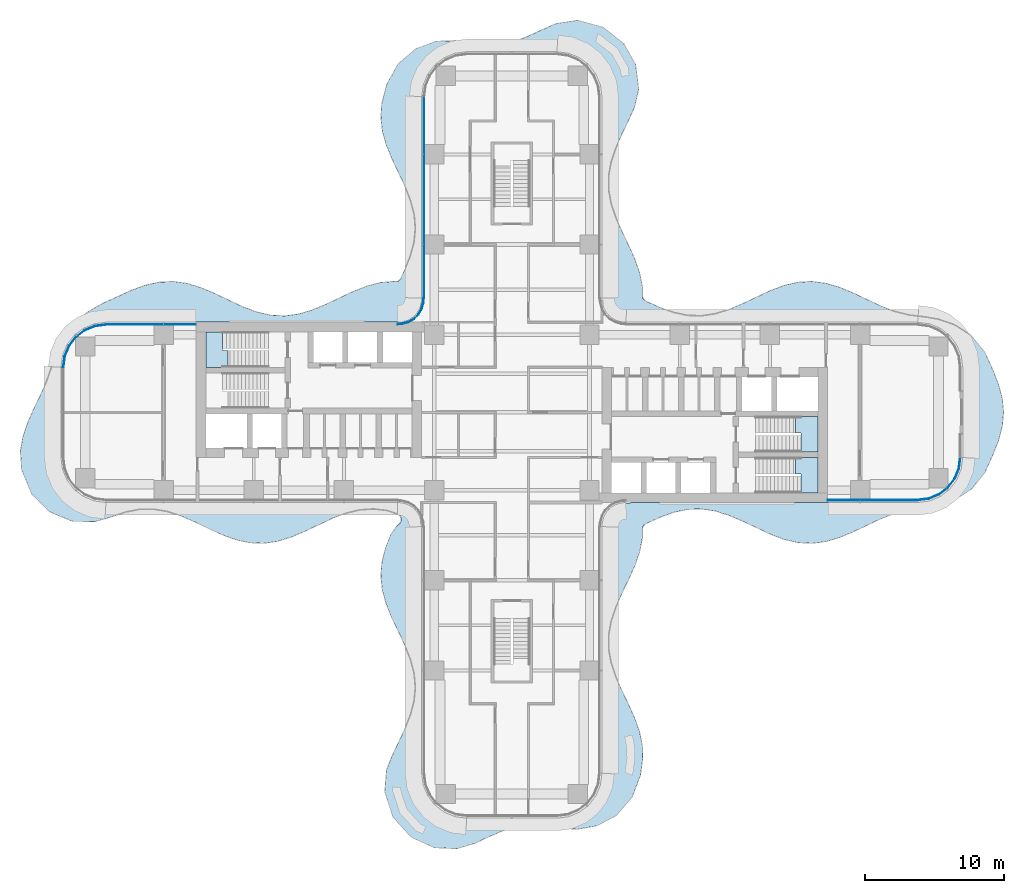
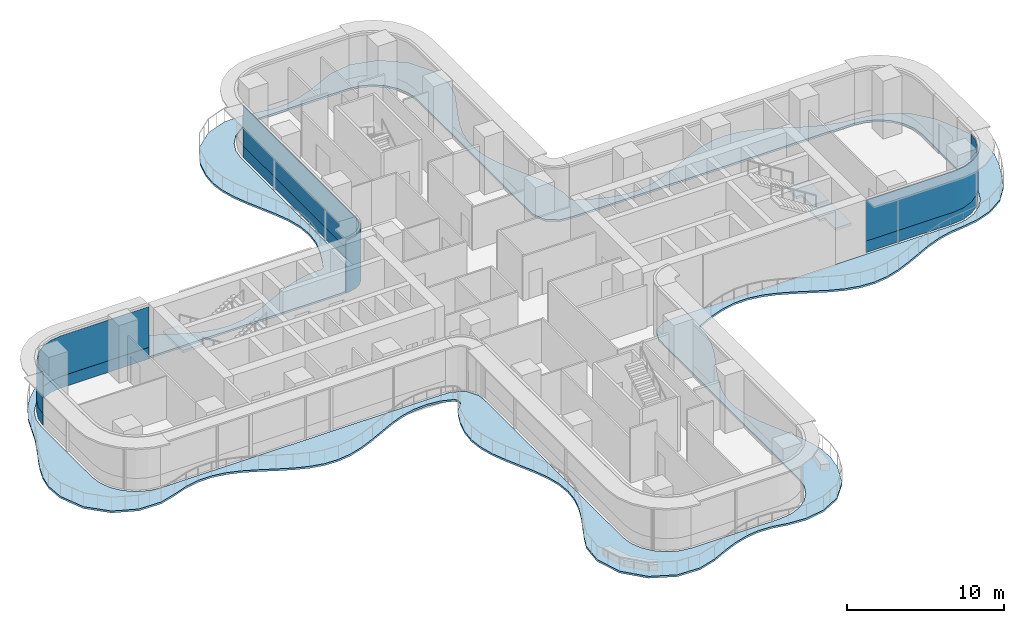
# One storey, part 15 of 22: 7 plates, 4 slabs, 7 elements without a shape of their own.
"""IFC4 building model written with IfcOpenShell, lengths in metres."""

from ifc_helpers import new_model, si_unit, direction, frame, origin, place, context, subcontext, project, spatial, polyline, outline, extrude, source, transform, mapped, material, layer, layer_set, type_object, element, aggregate, save


model = new_model("IFC4")

# Units and contexts
model_context = context("Model", 3, precision=1e-05, world=origin(), true_north=direction((0.0, 1.0)))
body_context = subcontext(model_context, "Body", "Model", "MODEL_VIEW")
ifc_project = project(units=[si_unit("LENGTHUNIT", "METRE"), si_unit("AREAUNIT", "SQUARE_METRE"), si_unit("VOLUMEUNIT", "CUBIC_METRE"), si_unit("PLANEANGLEUNIT", "RADIAN"), si_unit("MASSUNIT", "GRAM", prefix="KILO")], contexts=[model_context])

# Site, building, storey
site_placement = place(None, origin())
site = spatial("IfcSite", under=ifc_project, at=site_placement, CompositionType="ELEMENT")
building_placement = place(site_placement, origin())
building = spatial("IfcBuilding", under=site, at=building_placement, Name="Trellis Farm Tower", CompositionType="ELEMENT")
storey_placement = place(building_placement, frame((0.0, 0.0, 79.0)))
storey = spatial("IfcBuildingStorey", under=building, at=storey_placement, Name="L16", CompositionType="ELEMENT", Elevation=79.0)

# Slab
ifc_material_1 = material(Name="Concrete C40/50", Category="concrete")
ifc_layer_1 = layer(ifc_material_1, 0.14990234375)
ifc_layer_set_1 = layer_set([ifc_layer_1], Name="Balcony slab 150")
slab_type_1 = type_object("IfcSlabType", Name="Balcony slab 150", PredefinedType="FLOOR", material=ifc_layer_set_1)
slab_1_placement = place(storey_placement, frame((0.0, 0.0, -0.14990234375)))
element("IfcSlab", 1, at=slab_1_placement, inside=storey, type_object=slab_type_1, Name="Balcony slab", PredefinedType="FLOOR", context=body_context, shape_type="SweptSolid", body=[
    extrude(outline(polyline([(-18.9140625, -9.396484375), (-19.862060546875, -9.18896484375), (-19.88134765625, -9.183349609375), (-20.881103515625, -8.819091796875), (-20.89208984375, -8.814697265625), (-21.87451171875, -8.365234375), (-21.877197265625, -8.364013671875), (-22.87939453125, -7.88134765625), (-22.882080078125, -7.880126953125), (-23.884521484375, -7.446044921875), (-23.891357421875, -7.443603515625), (-24.83837890625, -7.137451171875), (-24.84912109375, -7.135009765625), (-25.827392578125, -6.970703125), (-25.8408203125, -6.9697265625), (-26.82470703125, -6.983642578125), (-26.837890625, -6.985107421875), (-27.830322265625, -7.1787109375), (-27.8408203125, -7.181640625), (-28.85791015625, -7.535400390625), (-28.865478515625, -7.5380859375), (-30.02978515625, -7.87451171875), (-30.07470703125, -7.880126953125), (-31.650634765625, -7.844970703125), (-31.6787109375, -7.841796875), (-31.713134765625, -7.83447265625), (-31.7392578125, -7.826171875), (-33.275634765625, -7.188232421875), (-33.302001953125, -7.17431640625), (-33.333740234375, -7.152587890625), (-33.356689453125, -7.1337890625), (-34.595703125, -5.8818359375), (-34.614013671875, -5.859130859375), (-34.634765625, -5.827880859375), (-34.648681640625, -5.80126953125), (-35.329345703125, -4.120361328125), (-35.33984375, -4.07373046875), (-35.424072265625, -2.791259765625), (-35.422119140625, -2.7548828125), (-35.24267578125, -1.75341796875), (-35.237060546875, -1.731689453125), (-34.90673828125, -0.756591796875), (-34.90185546875, -0.743896484375), (-34.46826171875, 0.23486328125), (-34.46630859375, 0.2392578125), (-33.9873046875, 1.231689453125), (-33.986328125, 1.2333984375), (-33.543701171875, 2.215087890625), (-33.541259765625, 2.221435546875), (-32.797607421875, 4.363037109375), (-32.78857421875, 4.3837890625), (-32.26416015625, 5.37548828125), (-32.2529296875, 5.393310546875), (-31.60888671875, 6.2822265625), (-31.591064453125, 6.302490234375), (-30.691650390625, 7.16455078125), (-30.6630859375, 7.18603515625), (-29.49951171875, 7.861083984375), (-29.486083984375, 7.8681640625), (-27.391845703125, 8.814697265625), (-27.381591796875, 8.819091796875), (-26.404052734375, 9.176513671875), (-26.384521484375, 9.182373046875), (-25.384033203125, 9.400146484375), (-25.357666015625, 9.403564453125), (-24.386962890625, 9.439453125), (-24.360107421875, 9.43798828125), (-23.417236328125, 9.301513671875), (-23.394775390625, 9.296630859375), (-22.394287109375, 8.98974609375), (-22.379638671875, 8.984375), (-21.397216796875, 8.56591796875), (-21.39208984375, 8.5634765625), (-19.418212890625, 7.632080078125), (-19.412841796875, 7.6298828125), (-18.432861328125, 7.25830078125), (-18.42333984375, 7.255615234375), (-17.38623046875, 7.012451171875), (-17.373291015625, 7.010498046875), (-16.3876953125, 6.95751953125), (-16.3740234375, 6.9580078125), (-15.39501953125, 7.085205078125), (-15.38330078125, 7.087646484375), (-14.405029296875, 7.375732421875), (-14.3974609375, 7.37841796875), (-13.415283203125, 7.787353515625), (-13.412109375, 7.788818359375), (-11.437744140625, 8.72314453125), (-11.427978515625, 8.727294921875), (-10.428955078125, 9.1162109375), (-10.4111328125, 9.121826171875), (-9.43115234375, 9.3681640625), (-9.406982421875, 9.372314453125), (-8.535888671875, 9.443603515625), (-8.494873046875, 9.44140625), (-8.419921875, 9.427001953125), (-8.403564453125, 9.425537109375), (-8.275634765625, 9.42919921875), (-8.244140625, 9.437255859375), (-8.137451171875, 9.4912109375), (-8.112548828125, 9.51171875), (-8.03369140625, 9.61279296875), (-8.025146484375, 9.626708984375), (-7.72509765625, 10.260986328125), (-7.723388671875, 10.264892578125), (-7.32861328125, 11.246337890625), (-7.32568359375, 11.254638671875), (-7.05859375, 12.232666015625), (-7.056396484375, 12.24462890625), (-6.9541015625, 13.224365234375), (-6.953857421875, 13.238037109375), (-7.033203125, 14.22509765625), (-7.035400390625, 14.237548828125), (-7.28857421875, 15.232666015625), (-7.291259765625, 15.241455078125), (-7.682861328125, 16.241943359375), (-7.684814453125, 16.24658203125), (-8.62841796875, 18.2412109375), (-8.631591796875, 18.248046875), (-9.042724609375, 19.24755859375), (-9.048095703125, 19.26318359375), (-9.322265625, 20.218017578125), (-9.326904296875, 20.2412109375), (-9.444580078125, 21.2099609375), (-9.4453125, 21.23779296875), (-9.37890625, 22.23828125), (-9.374755859375, 22.2646484375), (-9.0478515625, 23.57568359375), (-9.033447265625, 23.612060546875), (-8.22314453125, 25.076171875), (-8.2080078125, 25.098388671875), (-8.185791015625, 25.125732421875), (-8.166748046875, 25.14501953125), (-6.929443359375, 26.197021484375), (-6.907470703125, 26.21240234375), (-6.877197265625, 26.22998046875), (-6.852783203125, 26.241455078125), (-5.465087890625, 26.741943359375), (-5.419677734375, 26.75048828125), (-4.041748046875, 26.80224609375), (-4.009521484375, 26.800048828125), (-2.880615234375, 26.595458984375), (-2.87744140625, 26.594970703125), (-1.9130859375, 26.461181640625), (-1.8994140625, 26.460693359375), (-0.85400390625, 26.5087890625), (-0.8408203125, 26.510498046875), (0.136962890625, 26.733642578125), (0.146240234375, 26.736328125), (1.101806640625, 27.089599609375), (1.106689453125, 27.091552734375), (3.141357421875, 28.013671875), (3.180908203125, 28.025390625), (4.696533203125, 28.255126953125), (4.727783203125, 28.256591796875), (4.76708984375, 28.25439453125), (4.79736328125, 28.249267578125), (6.506103515625, 27.787841796875), (6.5341796875, 27.777099609375), (6.568603515625, 27.759765625), (6.593994140625, 27.743896484375), (8.027099609375, 26.62353515625), (8.04833984375, 26.603271484375), (8.072998046875, 26.574462890625), (8.090087890625, 26.55029296875), (8.90478515625, 25.110595703125), (8.91650390625, 25.083984375), (8.928466796875, 25.048583984375), (8.934814453125, 25.020263671875), (9.1484375, 23.35693359375), (9.1494140625, 23.330322265625), (9.147705078125, 23.2958984375), (9.14404296875, 23.269287109375), (8.845947265625, 21.995849609375), (8.836669921875, 21.968017578125), (8.39794921875, 21.0), (8.396484375, 20.996826171875), (7.9150390625, 19.998779296875), (7.9140625, 19.99658203125), (7.48583984375, 19.0244140625), (7.4833984375, 19.017822265625), (7.15576171875, 18.038818359375), (7.153076171875, 18.0283203125), (6.976806640625, 17.050048828125), (6.9755859375, 17.03662109375), (6.9765625, 16.053466796875), (6.977783203125, 16.0400390625), (7.1591796875, 15.048095703125), (7.162109375, 15.03759765625), (7.500244140625, 14.0390625), (7.502685546875, 14.03271484375), (7.9482421875, 13.02978515625), (7.94921875, 13.02783203125), (8.43017578125, 12.031005859375), (8.431884765625, 12.027099609375), (8.873291015625, 11.042724609375), (8.878173828125, 11.03076171875), (9.2177734375, 10.054443359375), (9.223388671875, 10.0341796875), (9.413818359375, 9.0654296875), (9.41650390625, 9.037841796875), (9.422607421875, 8.3046875), (9.4296875, 8.273681640625), (9.48291015625, 8.161865234375), (9.50341796875, 8.1357421875), (9.60546875, 8.05419921875), (9.62109375, 8.04443359375), (10.654541015625, 7.572265625), (10.660400390625, 7.56982421875), (11.685791015625, 7.201904296875), (11.696044921875, 7.19921875), (12.68896484375, 6.993408203125), (12.7021484375, 6.99169921875), (13.6865234375, 6.964599609375), (13.7001953125, 6.965576171875), (14.6787109375, 7.117431640625), (14.689697265625, 7.1201171875), (15.635009765625, 7.416015625), (15.64208984375, 7.418701171875), (16.658203125, 7.852783203125), (16.66064453125, 7.85400390625), (18.635009765625, 8.7841796875), (18.646728515625, 8.789306640625), (19.645751953125, 9.16162109375), (19.66455078125, 9.167236328125), (20.613525390625, 9.38623046875), (20.638916015625, 9.389892578125), (21.607666015625, 9.444091796875), (21.635498046875, 9.443115234375), (22.63623046875, 9.311767578125), (22.65966796875, 9.306884765625), (23.6328125, 9.01611328125), (23.64794921875, 9.010498046875), (24.6298828125, 8.598876953125), (24.635986328125, 8.59619140625), (26.60986328125, 7.662841796875), (26.61474609375, 7.66064453125), (27.59521484375, 7.281005859375), (27.604248046875, 7.2783203125), (28.634521484375, 7.022705078125), (28.643798828125, 7.02099609375), (29.67041015625, 6.8994140625), (29.677734375, 6.8984375), (30.75341796875, 6.718017578125), (30.777587890625, 6.711669921875), (31.9091796875, 6.318359375), (31.941162109375, 6.302978515625), (33.0712890625, 5.577392578125), (33.106689453125, 5.5458984375), (34.08740234375, 4.342041015625), (34.107666015625, 4.309326171875), (34.692626953125, 3.018798828125), (34.69580078125, 3.01123046875), (35.08642578125, 2.010986328125), (35.091552734375, 1.9951171875), (35.350341796875, 1.023193359375), (35.354736328125, 0.998779296875), (35.447265625, 0.0302734375), (35.447265625, 0.002197265625), (35.354736328125, -0.99853515625), (35.350341796875, -1.023193359375), (35.091552734375, -1.9951171875), (35.08642578125, -2.010986328125), (34.69580078125, -3.01123046875), (34.692626953125, -3.018798828125), (34.107666015625, -4.3095703125), (34.087646484375, -4.341796875), (33.14697265625, -5.509521484375), (33.112060546875, -5.541015625), (31.94140625, -6.302490234375), (31.908935546875, -6.318603515625), (30.777587890625, -6.711669921875), (30.75341796875, -6.718017578125), (29.677734375, -6.8984375), (29.67041015625, -6.8994140625), (28.6435546875, -7.02099609375), (28.634521484375, -7.022705078125), (27.64599609375, -7.264892578125), (27.636962890625, -7.267822265625), (26.61474609375, -7.66064453125), (26.609619140625, -7.662841796875), (24.635986328125, -8.59619140625), (24.6298828125, -8.598876953125), (23.64794921875, -9.010498046875), (23.6328125, -9.01611328125), (22.659423828125, -9.306884765625), (22.636474609375, -9.311767578125), (21.667724609375, -9.441650390625), (21.639892578125, -9.44287109375), (20.63916015625, -9.389892578125), (20.61328125, -9.385986328125), (19.642578125, -9.16064453125), (19.623779296875, -9.155029296875), (18.646484375, -8.7890625), (18.63525390625, -8.784423828125), (16.66064453125, -7.85400390625), (16.658203125, -7.852783203125), (15.64208984375, -7.418701171875), (15.635009765625, -7.416015625), (14.689697265625, -7.1201171875), (14.6787109375, -7.117431640625), (13.7001953125, -6.965576171875), (13.6865234375, -6.964599609375), (12.7021484375, -6.99169921875), (12.68896484375, -6.993408203125), (11.696044921875, -7.19921875), (11.685791015625, -7.201904296875), (10.660400390625, -7.56982421875), (10.654541015625, -7.572265625), (9.62109375, -8.04443359375), (9.60546875, -8.05419921875), (9.50341796875, -8.1357421875), (9.48291015625, -8.161865234375), (9.4296875, -8.273681640625), (9.422607421875, -8.3046875), (9.41650390625, -9.037841796875), (9.413818359375, -9.0654296875), (9.223388671875, -10.0341796875), (9.2177734375, -10.054443359375), (8.878173828125, -11.03076171875), (8.873291015625, -11.042724609375), (8.431884765625, -12.027099609375), (8.43017578125, -12.031005859375), (7.94921875, -13.02783203125), (7.9482421875, -13.02978515625), (7.502685546875, -14.03271484375), (7.500244140625, -14.0390625), (7.162109375, -15.03759765625), (7.1591796875, -15.048095703125), (6.977783203125, -16.0400390625), (6.9765625, -16.053466796875), (6.9755859375, -17.03662109375), (6.976806640625, -17.050048828125), (7.153076171875, -18.0283203125), (7.15576171875, -18.038818359375), (7.4833984375, -19.017822265625), (7.48583984375, -19.0244140625), (7.9140625, -19.99658203125), (7.9150390625, -19.998779296875), (8.396484375, -20.996826171875), (8.39794921875, -21.0), (8.84423828125, -21.985107421875), (8.848876953125, -21.99658203125), (9.2041015625, -22.99658203125), (9.209716796875, -23.016357421875), (9.405517578125, -23.96337890625), (9.40869140625, -23.9892578125), (9.437255859375, -24.961669921875), (9.43603515625, -24.986328125), (9.28076171875, -26.12255859375), (9.2724609375, -26.15478515625), (8.69189453125, -27.69970703125), (8.680419921875, -27.72412109375), (8.66259765625, -27.75341796875), (8.64697265625, -27.77490234375), (7.545166015625, -29.0400390625), (7.525146484375, -29.05908203125), (7.497314453125, -29.081298828125), (7.473388671875, -29.0966796875), (6.1455078125, -29.787353515625), (6.103271484375, -29.802001953125), (4.74072265625, -30.048828125), (4.702880859375, -30.05078125), (3.4541015625, -29.959228515625), (3.437255859375, -29.95703125), (2.352783203125, -29.752197265625), (2.342041015625, -29.7509765625), (1.350341796875, -29.710693359375), (1.337158203125, -29.711181640625), (0.41162109375, -29.839111328125), (0.400390625, -29.841796875), (-0.631591796875, -30.15185546875), (-0.63916015625, -30.154541015625), (-1.606201171875, -30.56298828125), (-1.609375, -30.564453125), (-2.614501953125, -31.0439453125), (-2.6357421875, -31.05224609375), (-3.90673828125, -31.4345703125), (-3.955322265625, -31.44091796875), (-5.521728515625, -31.385498046875), (-5.55078125, -31.381591796875), (-5.587890625, -31.373046875), (-5.615478515625, -31.363525390625), (-7.20947265625, -30.63720703125), (-7.235595703125, -30.621826171875), (-7.267333984375, -30.598876953125), (-7.289794921875, -30.57861328125), (-8.527587890625, -29.220458984375), (-8.546142578125, -29.19482421875), (-8.566650390625, -29.15966796875), (-8.57958984375, -29.130859375), (-9.151611328125, -27.388916015625), (-9.157958984375, -27.35986328125), (-9.162353515625, -27.322021484375), (-9.1630859375, -27.291748046875), (-9.03515625, -25.76904296875), (-9.02490234375, -25.7255859375), (-8.63134765625, -24.748046875), (-8.627685546875, -24.73974609375), (-7.693603515625, -22.76708984375), (-7.69189453125, -22.7626953125), (-7.304443359375, -21.78173828125), (-7.301513671875, -21.773193359375), (-7.045166015625, -20.795166015625), (-7.043212890625, -20.782958984375), (-6.95361328125, -19.802978515625), (-6.95361328125, -19.7890625), (-7.0458984375, -18.801513671875), (-7.048095703125, -18.789306640625), (-7.3125, -17.793701171875), (-7.3154296875, -17.78515625), (-7.723388671875, -16.76513671875), (-7.72509765625, -16.760986328125), (-8.660400390625, -14.786865234375), (-8.663818359375, -14.779052734375), (-9.061279296875, -13.798583984375), (-9.06689453125, -13.782470703125), (-9.336669921875, -12.809814453125), (-9.34130859375, -12.785888671875), (-9.4462890625, -11.8173828125), (-9.44677734375, -11.789306640625), (-9.3671875, -10.788818359375), (-9.363037109375, -10.763427734375), (-9.115234375, -9.79248046875), (-9.109375, -9.774169921875), (-8.7216796875, -8.795654296875), (-8.70361328125, -8.7626953125), (-8.307861328125, -8.21728515625), (-8.27783203125, -8.186279296875), (-8.117431640625, -8.063232421875), (-8.10302734375, -8.048583984375), (-7.992919921875, -7.89990234375), (-7.978759765625, -7.856689453125), (-7.978759765625, -7.67333984375), (-7.982421875, -7.64990234375), (-8.014404296875, -7.55322265625), (-8.021484375, -7.537841796875), (-8.089599609375, -7.42529296875), (-8.11279296875, -7.401611328125), (-8.222900390625, -7.33056640625), (-8.239013671875, -7.32275390625), (-8.947021484375, -7.075927734375), (-8.962646484375, -7.072265625), (-9.9384765625, -6.955810546875), (-9.952392578125, -6.955322265625), (-10.93310546875, -7.019287109375), (-10.94580078125, -7.021240234375), (-11.923583984375, -7.255615234375), (-11.9326171875, -7.25830078125), (-12.889404296875, -7.6201171875), (-12.89501953125, -7.622314453125), (-14.89208984375, -8.563720703125), (-14.897216796875, -8.56591796875), (-15.8798828125, -8.984375), (-15.894287109375, -8.989501953125), (-16.8681640625, -9.29052734375), (-16.89111328125, -9.295654296875), (-17.8916015625, -9.439697265625), (-17.91943359375, -9.441162109375), (-18.888427734375, -9.399658203125), (-18.9140625, -9.396484375)]), holes=[polyline([(-6.7958984375, 7.276123046875), (-7.408935546875, 6.71240234375), (-7.444580078125, 6.68798828125), (-7.4931640625, 6.664306640625), (-7.5341796875, 6.651123046875), (-8.409912109375, 6.50439453125), (-8.434814453125, 6.50244140625), (-23.109619140625, 6.50048828125), (-29.25, 6.50048828125), (-30.09130859375, 6.389892578125), (-30.875244140625, 6.065185546875), (-31.548583984375, 5.548583984375), (-32.065185546875, 4.875244140625), (-32.389892578125, 4.09130859375), (-32.50048828125, 3.25), (-32.50048828125, -3.25), (-32.389892578125, -4.09130859375), (-32.065185546875, -4.875244140625), (-31.548583984375, -5.548583984375), (-30.875244140625, -6.065185546875), (-30.09130859375, -6.389892578125), (-29.25, -6.50048828125), (-8.893798828125, -6.50048828125), (-7.973388671875, -6.525390625), (-7.94189453125, -6.52978515625), (-7.90234375, -6.539306640625), (-7.872314453125, -6.550048828125), (-7.106689453125, -6.919921875), (-7.0693359375, -6.94580078125), (-7.0283203125, -6.984130859375), (-7.00048828125, -7.019775390625), (-6.58544921875, -7.75439453125), (-6.572265625, -7.785888671875), (-6.559814453125, -7.827880859375), (-6.55419921875, -7.861572265625), (-6.50048828125, -8.785888671875), (-6.50048828125, -26.0), (-6.389892578125, -26.84130859375), (-6.065185546875, -27.625244140625), (-5.548583984375, -28.298583984375), (-4.875244140625, -28.815185546875), (-4.09130859375, -29.139892578125), (-3.25, -29.25048828125), (3.25, -29.25048828125), (4.09130859375, -29.139892578125), (4.875244140625, -28.815185546875), (5.548583984375, -28.298583984375), (6.065185546875, -27.625244140625), (6.389892578125, -26.84130859375), (6.50048828125, -26.0), (6.50048828125, -8.989501953125), (6.511962890625, -8.083984375), (6.514892578125, -8.057373046875), (6.521484375, -8.023193359375), (6.52880859375, -7.997314453125), (6.840087890625, -7.19580078125), (6.863525390625, -7.155517578125), (6.899658203125, -7.111083984375), (6.934326171875, -7.079833984375), (7.63720703125, -6.621826171875), (7.670166015625, -6.605712890625), (7.714111328125, -6.590576171875), (7.749755859375, -6.5830078125), (8.677490234375, -6.50048828125), (29.25, -6.50048828125), (30.09130859375, -6.389892578125), (30.875244140625, -6.065185546875), (31.548583984375, -5.548583984375), (32.065185546875, -4.875244140625), (32.389892578125, -4.09130859375), (32.50048828125, -3.25), (32.50048828125, 3.25), (32.389892578125, 4.09130859375), (32.065185546875, 4.875244140625), (31.548583984375, 5.548583984375), (30.875244140625, 6.065185546875), (30.09130859375, 6.389892578125), (29.25, 6.50048828125), (8.677490234375, 6.50048828125), (7.749755859375, 6.5830078125), (7.714111328125, 6.590576171875), (7.670166015625, 6.605712890625), (7.63720703125, 6.621826171875), (6.934326171875, 7.079833984375), (6.899658203125, 7.111083984375), (6.863525390625, 7.155517578125), (6.840087890625, 7.19580078125), (6.52880859375, 7.997314453125), (6.521484375, 8.023193359375), (6.514892578125, 8.057373046875), (6.511962890625, 8.083984375), (6.50048828125, 8.989501953125), (6.50048828125, 22.75), (6.389892578125, 23.59130859375), (6.065185546875, 24.375244140625), (5.548583984375, 25.048583984375), (4.875244140625, 25.565185546875), (4.09130859375, 25.889892578125), (3.25, 26.00048828125), (-3.25, 26.00048828125), (-4.09130859375, 25.889892578125), (-4.875244140625, 25.565185546875), (-5.548583984375, 25.048583984375), (-6.065185546875, 24.375244140625), (-6.389892578125, 23.59130859375), (-6.50048828125, 22.75), (-6.50048828125, 8.313720703125), (-6.50439453125, 8.282470703125), (-6.724365234375, 7.396484375), (-6.7412109375, 7.355712890625), (-6.768798828125, 7.309814453125), (-6.7958984375, 7.276123046875)])]), origin(), (0.0, 0.0, 1.0), 0.14990234375),
])

# Stair, slab
ifc_material_2 = material(Name="Concrete C50/60", Category="concrete")
stair_type = type_object("IfcStairType", Name="CORE EXIT STAIR 26 RISERS 173 MM", PredefinedType="HALF_TURN_STAIR", material=ifc_material_2)
placement_1 = place(storey_placement, origin())
stair_1 = element("IfcStair", 2, at=placement_1, inside=storey, type_object=stair_type, Name="Exit stair E1", PredefinedType="HALF_TURN_STAIR")
ifc_layer_2 = layer(ifc_material_2, 0.18994140625)
ifc_layer_set_2 = layer_set([ifc_layer_2], Name="CORE STAIR LANDING 190 CONCRETE C50/60")
slab_type_2 = type_object("IfcSlabType", Name="CORE STAIR LANDING 190 CONCRETE C50/60", PredefinedType="LANDING", material=ifc_layer_set_2)
shared_shape_1 = source(origin(), body_context, "Body", "SweptSolid", [
    extrude(outline(polyline([(20.840087890625, -5.800048828125), (20.840087890625, -4.60009765625), (20.85009765625, -4.60009765625), (20.85009765625, -4.449951171875), (20.453125, -4.449951171875), (20.453125, -3.25), (20.85009765625, -3.25), (22.050048828125, -3.25), (22.050048828125, -5.800048828125), (20.85009765625, -5.800048828125), (20.840087890625, -5.800048828125)])), origin(), (0.0, 0.0, 1.0), 0.18994140625),
])
placement_2 = place(storey_placement, frame((0.0, 0.0, 2.06005859375)))
slab_2 = element("IfcSlab", 3, at=placement_2, type_object=slab_type_2, Name="STE1 landing 1", PredefinedType="LANDING", context=body_context, shape_type="MappedRepresentation", body=[
    mapped(shared_shape_1, transform((0.0, 0.0, 0.0))),
])
aggregate(stair_1, [slab_2])

stair_2 = element("IfcStair", 4, at=placement_1, inside=storey, type_object=stair_type, Name="Exit stair E2", PredefinedType="HALF_TURN_STAIR")
shared_shape_2 = source(origin(), body_context, "Body", "SweptSolid", [
    extrude(outline(polyline([(20.840087890625, -2.85009765625), (20.840087890625, -1.64990234375), (20.85009765625, -1.64990234375), (20.85009765625, -1.5), (20.453125, -1.5), (20.453125, -0.300048828125), (20.85009765625, -0.300048828125), (22.050048828125, -0.300048828125), (22.050048828125, -2.85009765625), (20.85009765625, -2.85009765625), (20.840087890625, -2.85009765625)])), origin(), (0.0, 0.0, 1.0), 0.18994140625),
])
slab_3 = element("IfcSlab", 5, at=placement_2, type_object=slab_type_2, Name="STE2 landing 1", PredefinedType="LANDING", context=body_context, shape_type="MappedRepresentation", body=[
    mapped(shared_shape_2, transform((0.0, 0.0, 0.0))),
])
aggregate(stair_2, [slab_3])

stair_3 = element("IfcStair", 6, at=placement_1, inside=storey, type_object=stair_type, Name="Exit stair W1", PredefinedType="HALF_TURN_STAIR")
shared_shape_3 = source(origin(), body_context, "Body", "SweptSolid", [
    extrude(outline(polyline([(-20.453125, 4.449951171875), (-20.453125, 3.25), (-20.85009765625, 3.25), (-22.050048828125, 3.25), (-22.050048828125, 5.800048828125), (-20.85009765625, 5.800048828125), (-20.840087890625, 5.800048828125), (-20.840087890625, 4.60009765625), (-20.85009765625, 4.60009765625), (-20.85009765625, 4.449951171875), (-20.453125, 4.449951171875)])), origin(), (0.0, 0.0, 1.0), 0.18994140625),
])
slab_4 = element("IfcSlab", 7, at=placement_2, type_object=slab_type_2, Name="STW1 landing 1", PredefinedType="LANDING", context=body_context, shape_type="MappedRepresentation", body=[
    mapped(shared_shape_3, transform((0.0, 0.0, 0.0))),
])
aggregate(stair_3, [slab_4])

# Curtain wall, plates
ifc_material_3 = material(Name="Aluminium and glass curtain wall", Category="aluminium")
ifc_layer_3 = layer(ifc_material_3, 0.18994140625)
ifc_layer_set_3 = layer_set([ifc_layer_3], Name="RIBBON CURTAIN WALL CW1")
curtain_wall_type_1 = type_object("IfcCurtainWallType", Name="RIBBON CURTAIN WALL CW1", PredefinedType="NOTDEFINED", material=ifc_layer_set_3)
curtain_wall_1 = element("IfcCurtainWall", 8, at=placement_1, inside=storey, type_object=curtain_wall_type_1, Name="CW1 005", PredefinedType="NOTDEFINED")
ifc_material_4 = material(Name="Clear insulated glass", Category="glass")
ifc_layer_4 = layer(ifc_material_4, 0.0400390625)
ifc_layer_set_4 = layer_set([ifc_layer_4], Name="CW1 GLASS PANEL 40")
plate_type_1 = type_object("IfcPlateType", Name="CW1 GLASS PANEL 40", PredefinedType="CURTAIN_PANEL", material=ifc_layer_set_4)
shared_shape_4 = source(origin(), body_context, "Body", "SweptSolid", [
    extrude(outline(polyline([(22.780029296875, -6.35009765625), (29.240234375, -6.35009765625), (30.052001953125, -6.2431640625), (30.79931640625, -5.93359375), (31.441162109375, -5.441162109375), (31.93359375, -4.79931640625), (32.2431640625, -4.052001953125), (32.35009765625, -3.240234375), (32.31005859375, -3.237548828125), (32.2041015625, -4.04150390625), (31.898681640625, -4.779296875), (31.41259765625, -5.41259765625), (30.779296875, -5.898681640625), (30.04150390625, -6.2041015625), (29.237548828125, -6.31005859375), (22.780029296875, -6.31005859375), (22.780029296875, -6.35009765625)])), origin(), (0.0, 0.0, 1.0), 3.170166015625),
])
placement_3 = place(storey_placement, frame((0.0, 0.0, 0.89990234375)))
plate_1 = element("IfcPlate", 9, at=placement_3, type_object=plate_type_1, Name="PL1 005", PredefinedType="CURTAIN_PANEL", context=body_context, shape_type="MappedRepresentation", body=[
    mapped(shared_shape_4, transform((0.0, 0.0, 0.0))),
])
ifc_material_5 = material(Name="Sandstone faced insulated panel", Category="masonry")
ifc_layer_5 = layer(ifc_material_5, 0.050048828125)
ifc_layer_set_5 = layer_set([ifc_layer_5], Name="CW1 STONE SPANDREL PANEL 50")
plate_type_2 = type_object("IfcPlateType", Name="CW1 STONE SPANDREL PANEL 50", PredefinedType="CURTAIN_PANEL", material=ifc_layer_set_5)
shared_shape_5 = source(origin(), body_context, "Body", "SweptSolid", [
    extrude(outline(polyline([(22.780029296875, -6.35009765625), (29.240234375, -6.35009765625), (30.052001953125, -6.2431640625), (30.79931640625, -5.93359375), (31.441162109375, -5.441162109375), (31.93359375, -4.79931640625), (32.2431640625, -4.052001953125), (32.35009765625, -3.240234375), (32.300048828125, -3.23681640625), (32.1943359375, -4.0390625), (31.889892578125, -4.774169921875), (31.405517578125, -5.405517578125), (30.774169921875, -5.889892578125), (30.0390625, -6.1943359375), (29.23681640625, -6.300048828125), (22.780029296875, -6.300048828125), (22.780029296875, -6.35009765625)])), origin(), (0.0, 0.0, 1.0), 0.89990234375),
])
plate_2 = element("IfcPlate", 10, at=placement_1, type_object=plate_type_2, Name="PS1 005", PredefinedType="CURTAIN_PANEL", context=body_context, shape_type="MappedRepresentation", body=[
    mapped(shared_shape_5, transform((0.0, 0.0, 0.0))),
])
aggregate(curtain_wall_1, [plate_1, plate_2])

# Curtain wall, plate
ifc_layer_6 = layer(ifc_material_3, 0.166015625)
ifc_layer_set_6 = layer_set([ifc_layer_6], Name="WINTER GARDEN CURTAIN WALL CW3")
curtain_wall_type_2 = type_object("IfcCurtainWallType", Name="WINTER GARDEN CURTAIN WALL CW3", PredefinedType="NOTDEFINED", material=ifc_layer_set_6)
curtain_wall_2 = element("IfcCurtainWall", 11, at=placement_1, inside=storey, type_object=curtain_wall_type_2, Name="CW3 004", PredefinedType="NOTDEFINED")
ifc_layer_7 = layer(ifc_material_4, 0.0458984375)
ifc_layer_set_7 = layer_set([ifc_layer_7], Name="CW3 GLASS PANEL 46")
plate_type_3 = type_object("IfcPlateType", Name="CW3 GLASS PANEL 46", PredefinedType="CURTAIN_PANEL", material=ifc_layer_set_7)
shared_shape_6 = source(origin(), body_context, "Body", "SweptSolid", [
    extrude(outline(polyline([(-6.3798828125, 8.2275390625), (-6.394287109375, 8.0078125), (-6.40966796875, 7.89208984375), (-6.52490234375, 7.462158203125), (-6.7509765625, 7.070556640625), (-7.070556640625, 6.7509765625), (-7.462158203125, 6.52490234375), (-7.89208984375, 6.40966796875), (-8.0078125, 6.394287109375), (-8.2275390625, 6.3798828125), (-8.22607421875, 6.333984375), (-8.003173828125, 6.3486328125), (-7.883056640625, 6.364501953125), (-7.4443359375, 6.48193359375), (-7.04248046875, 6.714111328125), (-6.714111328125, 7.04248046875), (-6.48193359375, 7.4443359375), (-6.364501953125, 7.883056640625), (-6.3486328125, 8.003173828125), (-6.333984375, 8.22607421875), (-6.3798828125, 8.2275390625)])), origin(), (0.0, 0.0, 1.0), 4.10009765625),
])
plate_3 = element("IfcPlate", 12, at=placement_1, type_object=plate_type_3, Name="PL3 004", PredefinedType="CURTAIN_PANEL", context=body_context, shape_type="MappedRepresentation", body=[
    mapped(shared_shape_6, transform((0.0, 0.0, 0.0))),
])
aggregate(curtain_wall_2, [plate_3])

# Curtain wall, plates
curtain_wall_3 = element("IfcCurtainWall", 13, at=placement_1, inside=storey, type_object=curtain_wall_type_1, Name="CW1 012", PredefinedType="NOTDEFINED")
shared_shape_7 = source(origin(), body_context, "Body", "SweptSolid", [
    extrude(outline(polyline([(-22.780029296875, 6.35009765625), (-29.240234375, 6.35009765625), (-30.052001953125, 6.2431640625), (-30.79931640625, 5.93359375), (-31.441162109375, 5.441162109375), (-31.93359375, 4.79931640625), (-32.2431640625, 4.052001953125), (-32.35009765625, 3.240234375), (-32.31005859375, 3.237548828125), (-32.2041015625, 4.04150390625), (-31.898681640625, 4.779296875), (-31.41259765625, 5.41259765625), (-30.779296875, 5.898681640625), (-30.04150390625, 6.2041015625), (-29.237548828125, 6.31005859375), (-22.780029296875, 6.31005859375), (-22.780029296875, 6.35009765625)])), origin(), (0.0, 0.0, 1.0), 3.170166015625),
])
plate_4 = element("IfcPlate", 14, at=placement_3, type_object=plate_type_1, Name="PL1 012", PredefinedType="CURTAIN_PANEL", context=body_context, shape_type="MappedRepresentation", body=[
    mapped(shared_shape_7, transform((0.0, 0.0, 0.0))),
])
shared_shape_8 = source(origin(), body_context, "Body", "SweptSolid", [
    extrude(outline(polyline([(-22.780029296875, 6.35009765625), (-29.240234375, 6.35009765625), (-30.052001953125, 6.2431640625), (-30.79931640625, 5.93359375), (-31.441162109375, 5.441162109375), (-31.93359375, 4.79931640625), (-32.2431640625, 4.052001953125), (-32.35009765625, 3.240234375), (-32.300048828125, 3.23681640625), (-32.1943359375, 4.0390625), (-31.889892578125, 4.774169921875), (-31.405517578125, 5.405517578125), (-30.774169921875, 5.889892578125), (-30.0390625, 6.1943359375), (-29.23681640625, 6.300048828125), (-22.780029296875, 6.300048828125), (-22.780029296875, 6.35009765625)])), origin(), (0.0, 0.0, 1.0), 0.89990234375),
])
plate_5 = element("IfcPlate", 15, at=placement_1, type_object=plate_type_2, Name="PS1 012", PredefinedType="CURTAIN_PANEL", context=body_context, shape_type="MappedRepresentation", body=[
    mapped(shared_shape_8, transform((0.0, 0.0, 0.0))),
])
aggregate(curtain_wall_3, [plate_4, plate_5])

curtain_wall_4 = element("IfcCurtainWall", 16, at=placement_1, inside=storey, type_object=curtain_wall_type_1, Name="CW1 011", PredefinedType="NOTDEFINED")
shared_shape_9 = source(origin(), body_context, "Body", "SweptSolid", [
    extrude(outline(polyline([(-6.35009765625, 22.740234375), (-6.35009765625, 8.2265625), (-6.31005859375, 8.22509765625), (-6.31005859375, 22.737548828125), (-6.35009765625, 22.740234375)])), origin(), (0.0, 0.0, 1.0), 3.170166015625),
])
plate_6 = element("IfcPlate", 17, at=placement_3, type_object=plate_type_1, Name="PL1 011", PredefinedType="CURTAIN_PANEL", context=body_context, shape_type="MappedRepresentation", body=[
    mapped(shared_shape_9, transform((0.0, 0.0, 0.0))),
])
shared_shape_10 = source(origin(), body_context, "Body", "SweptSolid", [
    extrude(outline(polyline([(-6.35009765625, 22.740234375), (-6.35009765625, 8.2265625), (-6.300048828125, 8.224853515625), (-6.300048828125, 22.73681640625), (-6.35009765625, 22.740234375)])), origin(), (0.0, 0.0, 1.0), 0.89990234375),
])
plate_7 = element("IfcPlate", 18, at=placement_1, type_object=plate_type_2, Name="PS1 011", PredefinedType="CURTAIN_PANEL", context=body_context, shape_type="MappedRepresentation", body=[
    mapped(shared_shape_10, transform((0.0, 0.0, 0.0))),
])
aggregate(curtain_wall_4, [plate_6, plate_7])

save(model, "model.ifc")
